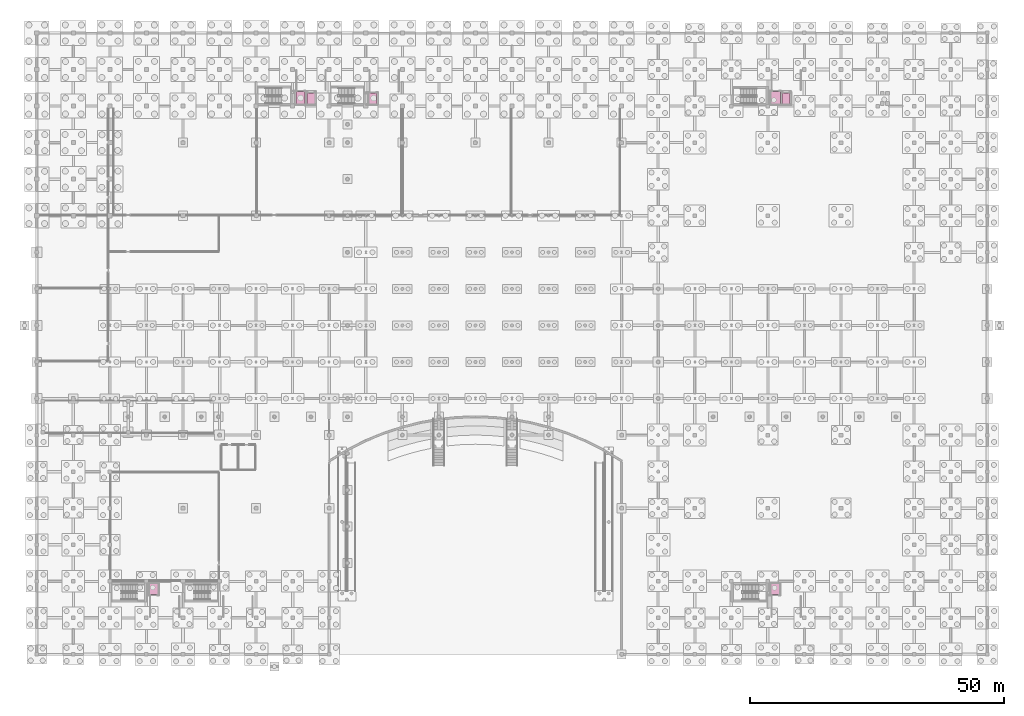
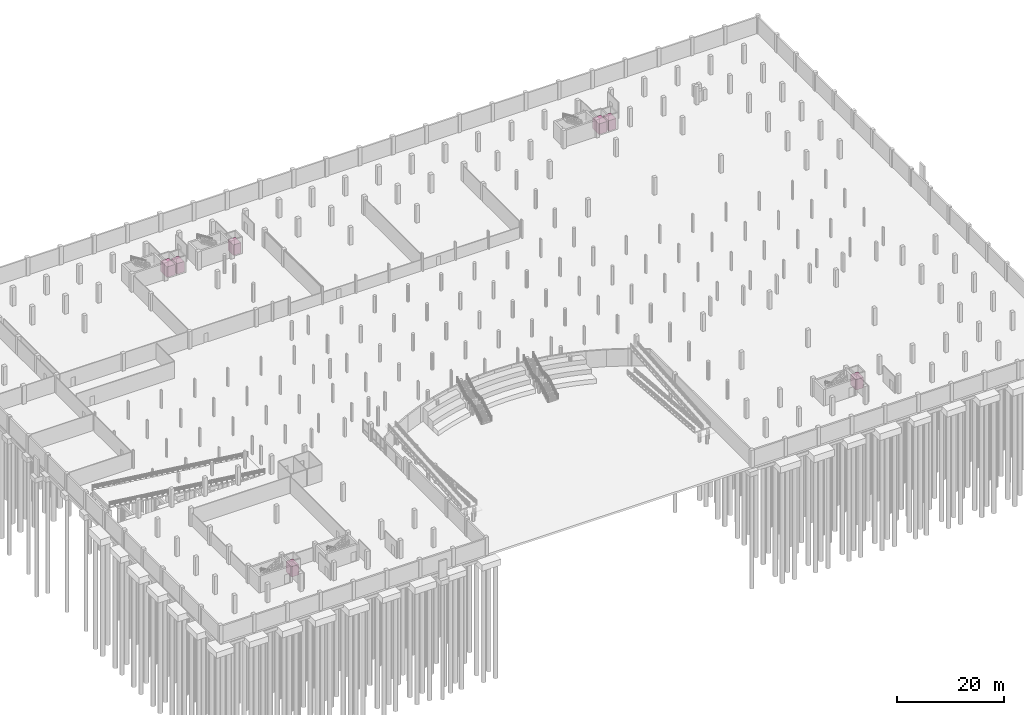
# One storey, part 56 of 56: 7 transport elements.
"""IFC4 building model written with IfcOpenShell, lengths in metres."""

import ifcopenshell
import ifcopenshell.guid

model = None  # the IFC model being written
_history = None  # IfcOwnerHistory: only IFC2X3 demands one
_inside = {}  # id of a spatial element -> (the spatial element, [elements in it])
_under = {}  # id of a project, library or spatial element -> (it, [spatial elements below it])
_declared = {}  # id of a project -> (the project, [libraries it declares])
_typed = {}  # id of a type object -> (the type object, [elements of that type])
_made_of = {}  # id of a material, layer set ... -> (it, [elements and type objects made of it])


def new_model(schema):
    """Start an empty IFC model of exactly this schema.

    Asked for "IFC4X3", IfcOpenShell would pick the latest addendum, in which some entities
    have other attributes; the version numbers below select the first issue.
    IFC2X3 requires an IfcOwnerHistory on every rooted entity: one is made here for all.
    """
    global model, _history
    if schema == "IFC4X3":
        model = ifcopenshell.file(schema_version=(4, 3, 0, 0))
    else:
        model = ifcopenshell.file(schema=schema)
    _inside.clear()
    _under.clear()
    _declared.clear()
    _typed.clear()
    _made_of.clear()
    _history = None
    if model.schema == "IFC2X3":
        org = make("IfcOrganization", Name="unknown")
        user = make(
            "IfcPersonAndOrganization",
            ThePerson=make("IfcPerson", FamilyName="unknown"),
            TheOrganization=org,
        )
        app = make(
            "IfcApplication",
            ApplicationDeveloper=org,
            Version="unknown",
            ApplicationFullName="unknown",
            ApplicationIdentifier="unknown",
        )
        _history = make(
            "IfcOwnerHistory",
            OwningUser=user,
            OwningApplication=app,
            ChangeAction="ADDED",
            CreationDate=0,
        )
    return model


def make(cls, **values):
    """One entity of the class cls with the attributes given. An attribute that is None is left unset."""
    return model.create_entity(
        cls, **{name: value for name, value in values.items() if value is not None}
    )


def rooted(cls, **values):
    """An entity with a GlobalId (a new one), such as an element, a storey or a relation."""
    return make(cls, GlobalId=ifcopenshell.guid.new(), OwnerHistory=_history, **values)


def si_unit(unit_type, name, prefix=None):
    """IfcSIUnit, for example si_unit("LENGTHUNIT", "METRE", prefix="MILLI")."""
    return make("IfcSIUnit", UnitType=unit_type, Prefix=prefix, Name=name)


def assignment(units):
    """IfcUnitAssignment: the units of a project."""
    return None if units is None else make("IfcUnitAssignment", Units=units)


def point(xyz):
    """IfcCartesianPoint."""
    return None if xyz is None else make("IfcCartesianPoint", Coordinates=xyz)


def direction(xyz):
    """IfcDirection."""
    return None if xyz is None else make("IfcDirection", DirectionRatios=xyz)


def frame(location, z_axis=None, x_axis=None):
    """IfcAxis2Placement3D, a coordinate frame: its origin and axes. An axis left out is left unset."""
    return make(
        "IfcAxis2Placement3D",
        Location=point(location),
        Axis=direction(z_axis),
        RefDirection=direction(x_axis),
    )


def frame_2d(location, x_axis=None):
    """IfcAxis2Placement2D, a coordinate frame in the plane: its origin and x axis."""
    return make(
        "IfcAxis2Placement2D", Location=point(location), RefDirection=direction(x_axis)
    )


def origin():
    """The frame at (0, 0, 0) with its axes left unset."""
    return frame((0.0, 0.0, 0.0))


def origin_2d():
    """The frame at (0, 0) in the plane with its x axis left unset."""
    return frame_2d((0.0, 0.0))


def place(relative_to, where):
    """IfcLocalPlacement: puts the frame where relative to a parent placement (None: the world)."""
    return make(
        "IfcLocalPlacement", PlacementRelTo=relative_to, RelativePlacement=where
    )


def context(
    kind, dimensions, precision=None, world=None, true_north=None, identifier=None
):
    """IfcGeometricRepresentationContext, for example the 3D "Model" context."""
    return make(
        "IfcGeometricRepresentationContext",
        ContextIdentifier=identifier,
        ContextType=kind,
        CoordinateSpaceDimension=dimensions,
        Precision=precision,
        WorldCoordinateSystem=world,
        TrueNorth=true_north,
    )


def subcontext(parent, identifier, kind, view, scale=None):
    """IfcGeometricRepresentationSubContext, for example "Body" below "Model"."""
    return make(
        "IfcGeometricRepresentationSubContext",
        ContextIdentifier=identifier,
        ContextType=kind,
        ParentContext=parent,
        TargetScale=scale,
        TargetView=view,
    )


def project(units=None, contexts=None):
    """IfcProject with its units and contexts."""
    return rooted(
        "IfcProject",
        Name="project",
        RepresentationContexts=contexts,
        UnitsInContext=assignment(units),
    )


def spatial(cls, under=None, at=None, **own):
    """A site, building, storey or space (cls), placed at a placement, below another one or the project."""
    s = rooted(cls, ObjectPlacement=at, **own)
    if under is not None:
        _under.setdefault(under.id(), (under, []))[1].append(s)
    return s


def profile(cls, at=None, kind="AREA", **sizes):
    """A parametric profile (cls). Its sizes go by their IFC names, for example OverallWidth=200.0."""
    return make(cls, ProfileType=kind, Position=at, **sizes)


def rectangle(**sizes):
    """IfcRectangleProfileDef."""
    return profile("IfcRectangleProfileDef", **sizes)


def extrude(swept, where, along, depth):
    """IfcExtrudedAreaSolid: the profile swept, set in the frame where, extruded along a direction by depth."""
    return make(
        "IfcExtrudedAreaSolid",
        SweptArea=swept,
        Position=where,
        ExtrudedDirection=direction(along),
        Depth=depth,
    )


def shape(context_of_items, identifier, shape_type, items):
    """IfcShapeRepresentation: the items that make up one representation, for example the "Body"."""
    return make(
        "IfcShapeRepresentation",
        ContextOfItems=context_of_items,
        RepresentationIdentifier=identifier,
        RepresentationType=shape_type,
        Items=items,
    )


def material(Name=None, Category=None):
    """IfcMaterial."""
    return make("IfcMaterial", Name=Name, Category=Category)


def made_of(thing, what):
    """Note that an element or type object is made of a material, layer set ...; save() writes the relation."""
    if what is not None:
        _made_of.setdefault(what.id(), (what, []))[1].append(thing)
    return thing


def type_object(cls, material=None, **own):
    """A type object (cls), such as IfcWallType, which elements share."""
    return made_of(rooted(cls, **own), material)


def element(
    cls,
    number,
    at=None,
    inside=None,
    cuts=None,
    type_object=None,
    material=None,
    context=None,
    identifier="Body",
    shape_type=None,
    held_by="IfcProductDefinitionShape",
    body=None,
    shapes=None,
    **own,
):
    """One element of the class cls, such as IfcWall. Its Tag is "e" and its number.

    at: its placement. inside: the storey or other place that contains it. cuts: it is an
    opening in that element (IfcRelVoidsElement). A single representation is given by context,
    identifier, shape_type and body (its items); several are given by shapes. held_by: the class
    of the entity that holds the representations. save() writes the other relations.
    """
    e = rooted(cls, Tag="e%d" % number, ObjectPlacement=at, **own)
    if body is not None:
        shapes = [shape(context, identifier, shape_type, body)]
    if shapes is not None:
        e.Representation = make(held_by, Representations=shapes)
    if inside is not None:
        _inside.setdefault(inside.id(), (inside, []))[1].append(e)
    if cuts is not None:
        rooted(
            "IfcRelVoidsElement", RelatingBuildingElement=cuts, RelatedOpeningElement=e
        )
    if type_object is not None:
        _typed.setdefault(type_object.id(), (type_object, []))[1].append(e)
    return made_of(e, material)


def aggregate(whole, parts):
    """IfcRelAggregates: a whole, such as a stair, and the parts it consists of."""
    return rooted("IfcRelAggregates", RelatingObject=whole, RelatedObjects=parts)


def save(model, path):
    """Write the relations noted so far, then the file.

    IfcRelAggregates (storeys below a building ...), IfcRelContainedInSpatialStructure (elements
    in a storey), IfcRelDefinesByType, IfcRelAssociatesMaterial and IfcRelDeclares: one each for
    every whole, place, type object, material and project.
    """
    for whole, parts in _under.values():
        aggregate(whole, parts)
    for where, things in _inside.values():
        rooted(
            "IfcRelContainedInSpatialStructure",
            RelatedElements=things,
            RelatingStructure=where,
        )
    for kind, things in _typed.values():
        rooted("IfcRelDefinesByType", RelatedObjects=things, RelatingType=kind)
    for what, things in _made_of.values():
        rooted("IfcRelAssociatesMaterial", RelatedObjects=things, RelatingMaterial=what)
    for by, libraries in _declared.values():
        rooted("IfcRelDeclares", RelatingContext=by, RelatedDefinitions=libraries)
    model.write(path)


model = new_model("IFC4")

# Units and contexts
model_context = context("Model", 3, precision=1e-05, world=origin(), true_north=direction((0.0, 1.0)))
body_context = subcontext(model_context, "Body", "Model", "MODEL_VIEW")
ifc_project = project(units=[si_unit("LENGTHUNIT", "METRE"), si_unit("AREAUNIT", "SQUARE_METRE"), si_unit("VOLUMEUNIT", "CUBIC_METRE"), si_unit("PLANEANGLEUNIT", "RADIAN"), si_unit("MASSUNIT", "GRAM", prefix="KILO")], contexts=[model_context])

# Site, building, storey
site_placement = place(None, origin())
site = spatial("IfcSite", under=ifc_project, at=site_placement, CompositionType="ELEMENT")
building_placement = place(site_placement, origin())
building = spatial("IfcBuilding", under=site, at=building_placement, Name="Suanplinth Sawtooth Commons", CompositionType="ELEMENT")
storey_placement = place(building_placement, frame((0.0, 0.0, -4.199951171875)))
storey = spatial("IfcBuildingStorey", under=building, at=storey_placement, Name="B1", CompositionType="ELEMENT", Elevation=-4.199951171875)

# Transport elements
ifc_material = material(Name="Stainless steel Grade 304", Category="steel")
transport_element_type_1 = type_object("IfcTransportElementType", Name="EL-01", PredefinedType="ELEVATOR", material=ifc_material)
for number, where, z_axis, x_axis, name in (
    (1, (51.949951171875, 109.64990234375, 0.0), (0.0, 0.0, 1.0), (1.0, 0.0, 0.0), "Firefighting Lift FL1"),
    (2, (145.550048828125, 109.64990234375, 0.0), (0.0, 0.0, 1.0), (1.0, 0.0, 0.0), "Firefighting Lift FL2"),
):
    element("IfcTransportElement", number, at=place(storey_placement, frame(where, z_axis=z_axis, x_axis=x_axis)), inside=storey, type_object=transport_element_type_1, Name=name, PredefinedType="ELEVATOR", context=body_context, shape_type="SweptSolid", body=[
        extrude(rectangle(XDim=1.800048828125, YDim=2.39990234375, at=origin_2d()), origin(), (0.0, 0.0, 1.0), 2.39990234375),
    ])
transport_element_type_2 = type_object("IfcTransportElementType", Name="EL-02", PredefinedType="ELEVATOR", material=ifc_material)
for number, where, z_axis, x_axis, name in (
    (3, (54.0, 109.5, 0.0), (0.0, 0.0, 1.0), (1.0, 0.0, 0.0), "Passenger Lift LF1"),
    (4, (66.25, 109.5, 0.0), (0.0, 0.0, 1.0), (1.0, 0.0, 0.0), "Passenger Lift LF2"),
    (5, (147.60009765625, 109.5, 0.0), (0.0, 0.0, 1.0), (1.0, 0.0, 0.0), "Passenger Lift LF3"),
    (6, (145.449951171875, 12.89990234375, 0.0), (0.0, 0.0, 1.0), (1.0, 0.0, 0.0), "Passenger Lift LF5"),
    (7, (23.050048828125, 12.89990234375, 0.0), (0.0, 0.0, 1.0), (1.0, 0.0, 0.0), "Passenger Lift LF6"),
):
    element("IfcTransportElement", number, at=place(storey_placement, frame(where, z_axis=z_axis, x_axis=x_axis)), inside=storey, type_object=transport_element_type_2, Name=name, PredefinedType="ELEVATOR", context=body_context, shape_type="SweptSolid", body=[
        extrude(rectangle(XDim=1.60009765625, YDim=2.10009765625, at=origin_2d()), origin(), (0.0, 0.0, 1.0), 2.39990234375),
    ])

save(model, "model.ifc")
